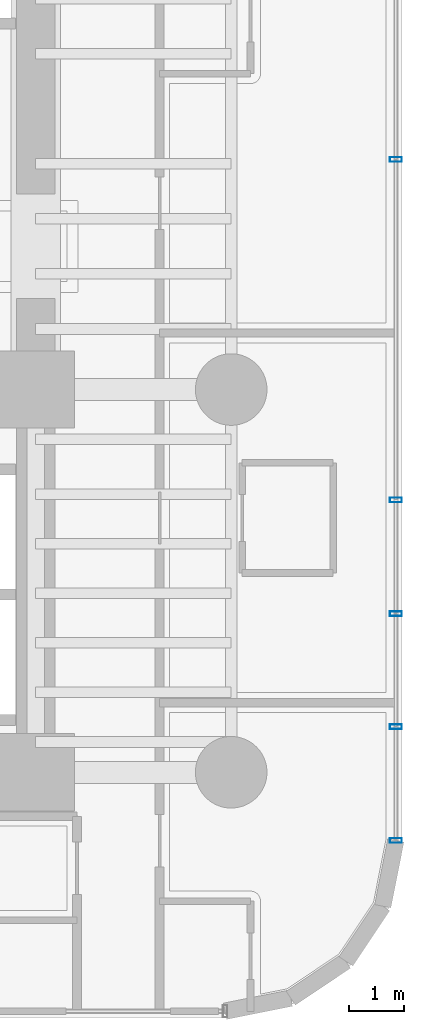
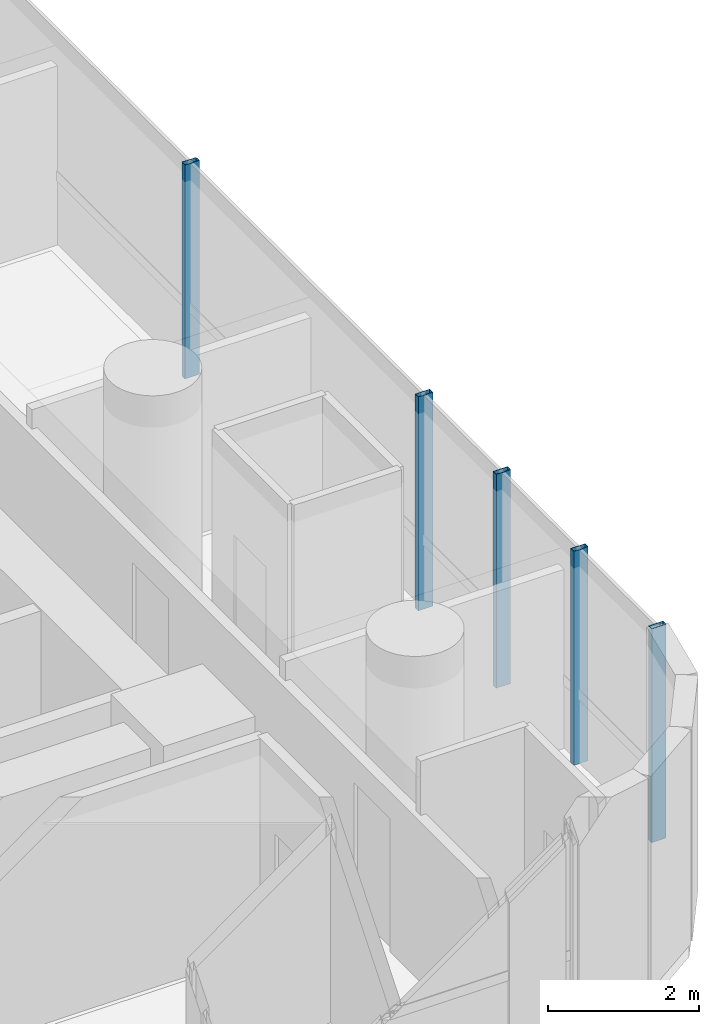
# One storey, part 25 of 42: 5 members, 1 element without a shape of its own.
"""IFC4 building model written with IfcOpenShell, lengths in metres."""

from ifc_helpers import new_model, si_unit, direction, frame, origin, origin_2d, place, context, subcontext, project, spatial, hollow_rectangle, extrude, source, transform, mapped, material, material_profile, profile_set, type_object, element, aggregate, save


model = new_model("IFC4")

# Units and contexts
model_context = context("Model", 3, precision=1e-05, world=origin(), true_north=direction((0.0, 1.0)))
body_context = subcontext(model_context, "Body", "Model", "MODEL_VIEW")
ifc_project = project(units=[si_unit("LENGTHUNIT", "METRE"), si_unit("AREAUNIT", "SQUARE_METRE"), si_unit("VOLUMEUNIT", "CUBIC_METRE"), si_unit("PLANEANGLEUNIT", "RADIAN"), si_unit("MASSUNIT", "GRAM", prefix="KILO")], contexts=[model_context])

# Site, building, storey
site_placement = place(None, origin())
site = spatial("IfcSite", under=ifc_project, at=site_placement, CompositionType="ELEMENT")
building_placement = place(site_placement, origin())
building = spatial("IfcBuilding", under=site, at=building_placement, Name="Valdorenza Pilgrim Sanctuary Tower", CompositionType="ELEMENT")
storey_placement = place(building_placement, frame((0.0, 0.0, 29.699951171875)))
storey = spatial("IfcBuildingStorey", under=building, at=storey_placement, Name="L06", CompositionType="ELEMENT", Elevation=29.699951171875)

# Curtain wall, members
ifc_material_1 = material(Name="Curtain-wall IGU glazing", Category="glass")
curtain_wall_type = type_object("IfcCurtainWallType", Name="CW-SYS-03", PredefinedType="NOTDEFINED", material=ifc_material_1)
curtain_wall_placement = place(storey_placement, origin())
curtain_wall = element("IfcCurtainWall", 1, at=curtain_wall_placement, inside=storey, type_object=curtain_wall_type, Name="L06 Curtain Wall CW-L06-1-21", PredefinedType="NOTDEFINED")
ifc_material_2 = material(Name="Anodised aluminium AW-6060", Category="aluminium")
ifc_material_profile = material_profile(ifc_material_2, hollow_rectangle(XDim=0.0849609375, YDim=0.219970703125, WallThickness=0.0048828125, at=origin_2d()), Name="ALU-M 220x85x5")
ifc_profile_set = profile_set([ifc_material_profile], Name="Anodised aluminium AW-6060")
member_type = type_object("IfcMemberType", Name="CW-MUL-03", PredefinedType="MULLION", material=ifc_profile_set)
shared_shape = source(origin(), body_context, "Body", "SweptSolid", [
    extrude(hollow_rectangle(XDim=0.0849609375, YDim=0.219970703125, WallThickness=0.0048828125, at=origin_2d()), origin(), (0.0, 0.0, 1.0), 3.4599609375),
])
member_1_placement = place(storey_placement, frame((31.389892578125, 1.577880859375, 0.0), z_axis=(0.0, 0.0, 1.0), x_axis=(0.0, -1.0, 0.0)))
member_1 = element("IfcMember", 2, at=member_1_placement, type_object=member_type, Name="CW-L06-1-21 Mullion 3", PredefinedType="MULLION", context=body_context, shape_type="MappedRepresentation", body=[
    mapped(shared_shape, transform((0.0, 0.0, 0.0), x_axis=(1.0, 0.0, 0.0), y_axis=(0.0, 1.0, 0.0), z_axis=(0.0, 0.0, 1.0), scale=1.0)),
])
member_2_placement = place(storey_placement, frame((31.389892578125, -4.605712890625, 0.0), z_axis=(0.0, 0.0, 1.0), x_axis=(0.0, -1.0, 0.0)))
member_2 = element("IfcMember", 3, at=member_2_placement, type_object=member_type, Name="CW-L06-1-21 Mullion 4", PredefinedType="MULLION", context=body_context, shape_type="MappedRepresentation", body=[
    mapped(shared_shape, transform((0.0, 0.0, 0.0), x_axis=(1.0, 0.0, 0.0), y_axis=(0.0, 1.0, 0.0), z_axis=(0.0, 0.0, 1.0), scale=1.0)),
])
member_3_placement = place(storey_placement, frame((31.389892578125, -10.789306640625, 0.0), z_axis=(0.0, 0.0, 1.0), x_axis=(0.0, -1.0, 0.0)))
member_3 = element("IfcMember", 4, at=member_3_placement, type_object=member_type, Name="CW-L06-1-21 Mullion 5", PredefinedType="MULLION", context=body_context, shape_type="MappedRepresentation", body=[
    mapped(shared_shape, transform((0.0, 0.0, 0.0), x_axis=(1.0, 0.0, 0.0), y_axis=(0.0, 1.0, 0.0), z_axis=(0.0, 0.0, 1.0), scale=1.0)),
])
member_4_placement = place(storey_placement, frame((31.389892578125, -6.670166015625, 0.0), z_axis=(0.0, 0.0, 1.0), x_axis=(0.0, -1.0, 0.0)))
member_4 = element("IfcMember", 5, at=member_4_placement, type_object=member_type, Name="CW-L06-1-21 Sub-Mullion 6-1", PredefinedType="MULLION", context=body_context, shape_type="MappedRepresentation", body=[
    mapped(shared_shape, transform((0.0, 0.0, 0.0), x_axis=(1.0, 0.0, 0.0), y_axis=(0.0, 1.0, 0.0), z_axis=(0.0, 0.0, 1.0), scale=1.0)),
])
member_5_placement = place(storey_placement, frame((31.389892578125, -8.724609375, 0.0), z_axis=(0.0, 0.0, 1.0), x_axis=(0.0, -1.0, 0.0)))
member_5 = element("IfcMember", 6, at=member_5_placement, type_object=member_type, Name="CW-L06-1-21 Sub-Mullion 6-2", PredefinedType="MULLION", context=body_context, shape_type="MappedRepresentation", body=[
    mapped(shared_shape, transform((0.0, 0.0, 0.0), x_axis=(1.0, 0.0, 0.0), y_axis=(0.0, 1.0, 0.0), z_axis=(0.0, 0.0, 1.0), scale=1.0)),
])
aggregate(curtain_wall, [member_1, member_2, member_3, member_4, member_5])

save(model, "model.ifc")
